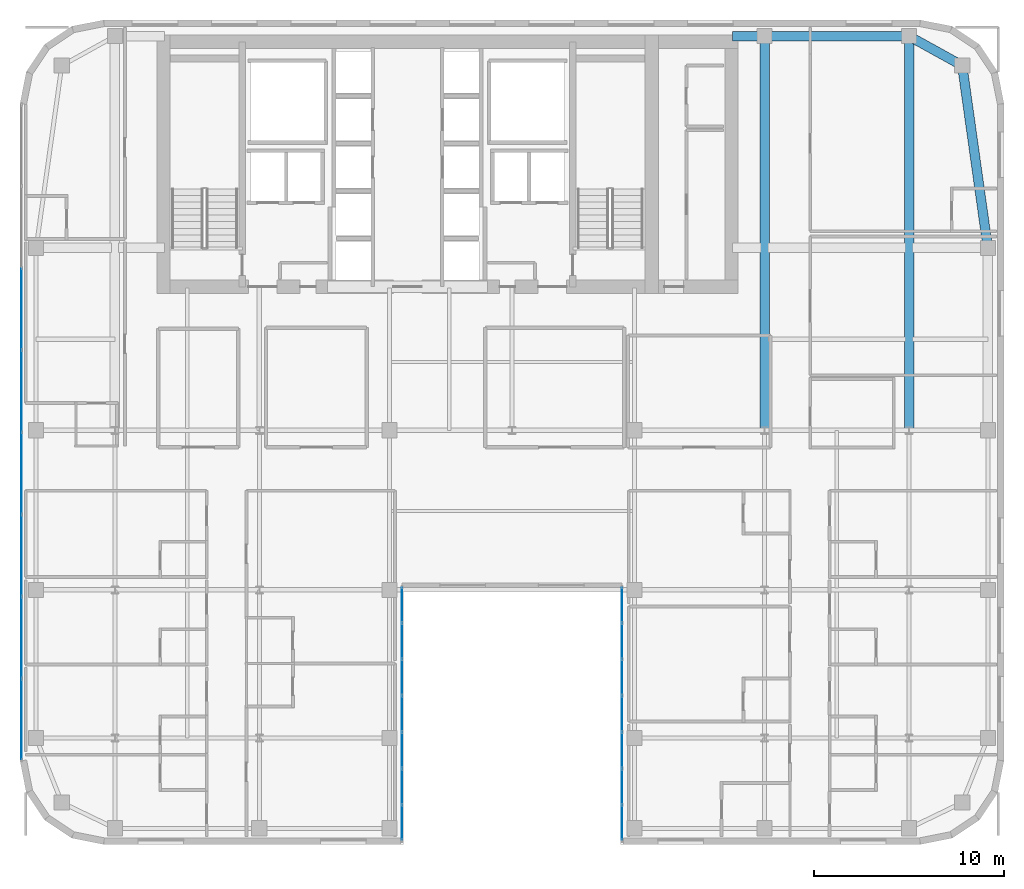
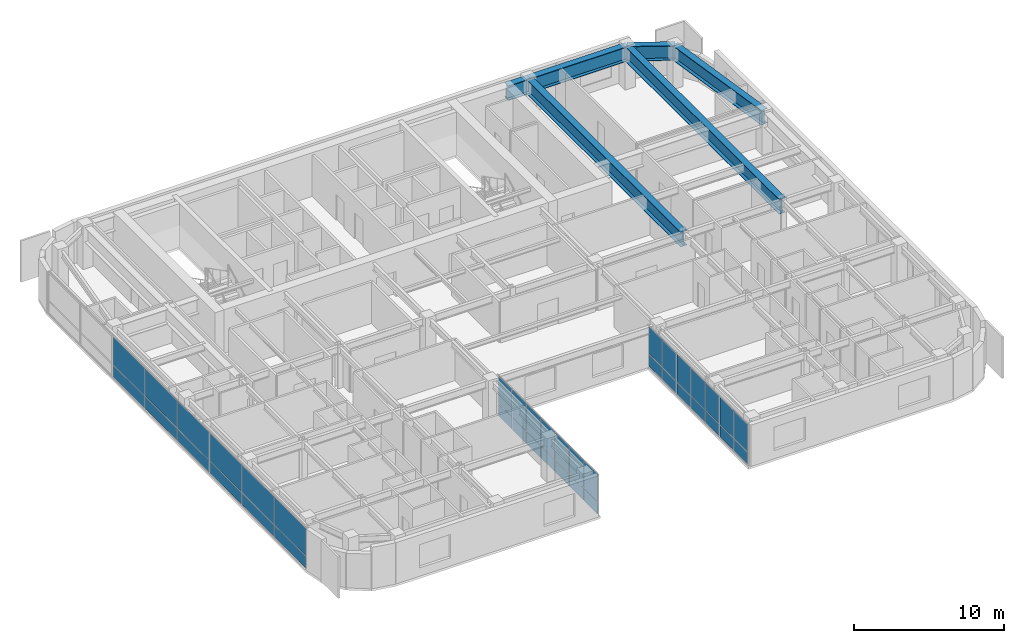
# One storey, part 16 of 24: 40 plates, 6 beams, 3 elements without a shape of their own.
"""IFC4 building model written with IfcOpenShell, lengths in metres."""

from ifc_helpers import new_model, si_unit, direction, frame, origin, origin_2d, place, context, subcontext, project, spatial, rectangle, i_section, extrude, source, transform, mapped, material, layer, layer_set, material_profile, profile_set, type_object, type_shapes, element, aggregate, save


model = new_model("IFC4")

# Units and contexts
model_context = context("Model", 3, precision=1e-05, world=origin(), true_north=direction((0.0, 1.0)))
body_context = subcontext(model_context, "Body", "Model", "MODEL_VIEW")
ifc_project = project(units=[si_unit("LENGTHUNIT", "METRE"), si_unit("AREAUNIT", "SQUARE_METRE"), si_unit("VOLUMEUNIT", "CUBIC_METRE"), si_unit("PLANEANGLEUNIT", "RADIAN"), si_unit("MASSUNIT", "GRAM", prefix="KILO")], contexts=[model_context])

# Site, building, storey
site_placement = place(None, origin())
site = spatial("IfcSite", under=ifc_project, at=site_placement, CompositionType="ELEMENT")
building_placement = place(site_placement, origin())
building = spatial("IfcBuilding", under=site, at=building_placement, Name="Tolvann Quenvar Hotel", CompositionType="ELEMENT")
storey_placement = place(building_placement, frame((0.0, 0.0, 157.699951171875)))
storey = spatial("IfcBuildingStorey", under=building, at=storey_placement, Name="L41", CompositionType="ELEMENT", Elevation=157.699951171875)

# Beams
ifc_material_1 = material(Name="Steel Grade 350", Category="steel")
ifc_material_profile = material_profile(ifc_material_1, i_section(OverallWidth=0.5, OverallDepth=1.199951171875, WebThickness=0.01611328125, FlangeThickness=0.0400390625, at=origin_2d()), Name="1200WB455")
ifc_profile_set = profile_set([ifc_material_profile], Name="Steel Grade 350")
beam_type = type_object("IfcBeamType", Name="BM_TG_1200WB455", PredefinedType="USERDEFINED", material=ifc_profile_set)
shared_shape_1 = source(origin(), body_context, "Body", "SweptSolid", [
    extrude(i_section(OverallWidth=0.5, OverallDepth=1.199951171875, WebThickness=0.01611328125, FlangeThickness=0.0400390625, at=origin_2d()), origin(), (0.0, 0.0, 1.0), 7.599853515625),
])
beam_1_placement = place(storey_placement, frame((49.39990234375, 45.14990234375, 2.77001953125), z_axis=(-1.0, 0.0, 0.0), x_axis=(0.0, -1.0, 0.0)))
element("IfcBeam", 1, at=beam_1_placement, inside=storey, type_object=beam_type, Name="BM-L41-FLK-E4", ObjectType="TRANSFER GIRDER", PredefinedType="USERDEFINED", context=body_context, shape_type="MappedRepresentation", body=[
    mapped(shared_shape_1, transform((0.0, 0.0, 0.0), x_axis=(1.0, 0.0, 0.0), y_axis=(0.0, 1.0, 0.0), z_axis=(0.0, 0.0, 1.0), scale=1.0)),
])
shared_shape_2 = source(origin(), body_context, "Body", "SweptSolid", [
    extrude(i_section(OverallWidth=0.5, OverallDepth=1.199951171875, WebThickness=0.01611328125, FlangeThickness=0.0400390625, at=origin_2d()), origin(), (0.0, 0.0, 1.0), 20.75),
])
for number, where, z_axis, x_axis, name in (
    (2, (41.800048828125, 24.39990234375, 2.77001953125), (0.0, 1.0, 0.0), (-1.0, 0.0, 0.0), "BM-L41-FLK-EH"),
    (3, (49.39990234375, 24.39990234375, 2.77001953125), (0.0, 1.0, 0.0), (-1.0, 0.0, 0.0), "BM-L41-FLK-EI"),
):
    element("IfcBeam", number, at=place(storey_placement, frame(where, z_axis=z_axis, x_axis=x_axis)), inside=storey, type_object=beam_type, Name=name, ObjectType="TRANSFER GIRDER", PredefinedType="USERDEFINED", context=body_context, shape_type="MappedRepresentation", body=[
        mapped(shared_shape_2, transform((0.0, 0.0, 0.0), x_axis=(1.0, 0.0, 0.0), y_axis=(0.0, 1.0, 0.0), z_axis=(0.0, 0.0, 1.0), scale=1.0)),
    ])
shared_shape_3 = source(origin(), body_context, "Body", "SweptSolid", [
    extrude(i_section(OverallWidth=0.5, OverallDepth=1.199951171875, WebThickness=0.01611328125, FlangeThickness=0.0400390625, at=origin_2d()), origin(), (0.0, 0.0, 1.0), 1.699951171875),
])
beam_2_placement = place(storey_placement, frame((40.10009765625, 45.14990234375, 2.77001953125), z_axis=(1.0, 0.0, 0.0), x_axis=(0.0, 1.0, 0.0)))
element("IfcBeam", 4, at=beam_2_placement, inside=storey, type_object=beam_type, Name="BM-L41-CTE-HN", ObjectType="TRANSFER GIRDER", PredefinedType="USERDEFINED", context=body_context, shape_type="MappedRepresentation", body=[
    mapped(shared_shape_3, transform((0.0, 0.0, 0.0), x_axis=(1.0, 0.0, 0.0), y_axis=(0.0, 1.0, 0.0), z_axis=(0.0, 0.0, 1.0), scale=1.0)),
])
shared_shape_4 = source(origin(), body_context, "Body", "SweptSolid", [
    extrude(i_section(OverallWidth=0.5, OverallDepth=1.199951171875, WebThickness=0.01611328125, FlangeThickness=0.0400390625, at=origin_2d()), origin(), (0.0, 0.0, 1.0), 9.694580078125),
])
beam_3_placement = place(storey_placement, frame((53.550048828125, 34.0, 2.77001953125), z_axis=(-0.139263320262, 0.990255385055, 0.0), x_axis=(-0.990255385055, -0.139263320262, 0.0)))
element("IfcBeam", 5, at=beam_3_placement, inside=storey, type_object=beam_type, Name="BM-L41-FLK-E2", ObjectType="TRANSFER GIRDER", PredefinedType="USERDEFINED", context=body_context, shape_type="MappedRepresentation", body=[
    mapped(shared_shape_4, transform((0.0, 0.0, 0.0), x_axis=(1.0, 0.0, 0.0), y_axis=(0.0, 1.0, 0.0), z_axis=(0.0, 0.0, 1.0), scale=1.0)),
])
shared_shape_5 = source(origin(), body_context, "Body", "SweptSolid", [
    extrude(i_section(OverallWidth=0.5, OverallDepth=1.199951171875, WebThickness=0.01611328125, FlangeThickness=0.0400390625, at=origin_2d()), origin(), (0.0, 0.0, 1.0), 3.200439453125),
])
type_shapes(beam_type, [shared_shape_1, shared_shape_2, shared_shape_3, shared_shape_4, shared_shape_5])
beam_4_placement = place(storey_placement, frame((52.199951171875, 43.60009765625, 2.77001953125), z_axis=(-0.87492264453, 0.48426270359, 0.0), x_axis=(-0.48426270359, -0.87492264453, 0.0)))
element("IfcBeam", 6, at=beam_4_placement, inside=storey, type_object=beam_type, Name="BM-L41-FLK-E3", ObjectType="TRANSFER GIRDER", PredefinedType="USERDEFINED", context=body_context, shape_type="MappedRepresentation", body=[
    mapped(shared_shape_5, transform((0.0, 0.0, 0.0), x_axis=(1.0, 0.0, 0.0), y_axis=(0.0, 1.0, 0.0), z_axis=(0.0, 0.0, 1.0), scale=1.0)),
])

# Curtain wall, plates
ifc_material_2 = material(Name="Thermally broken anodised architectural aluminium 6063-T6 and laminated low-E glass", Category="aluminium")
ifc_layer_1 = layer(ifc_material_2, 0.179931640625)
ifc_layer_set_1 = layer_set([ifc_layer_1], Name="Thermally broken anodised architectural aluminium 6063-T6 and laminated low-E glass")
curtain_wall_type_1 = type_object("IfcCurtainWallType", Name="CW_SYS_SLOT_03", PredefinedType="USERDEFINED", material=ifc_layer_set_1)
curtain_wall_1_placement = place(storey_placement, origin())
curtain_wall_1 = element("IfcCurtainWall", 7, at=curtain_wall_1_placement, inside=storey, type_object=curtain_wall_type_1, Name="Curtain Wall CW-SLOT-03 (CWR-L41-E05)", ObjectType="UNITISED CURTAIN WALL", PredefinedType="USERDEFINED")
ifc_material_3 = material(Name="Low-iron laminated double glazing with solar-control coating", Category="glass")
ifc_layer_2 = layer(ifc_material_3, 0.028076171875)
ifc_layer_set_2 = layer_set([ifc_layer_2], Name="Low-iron laminated double glazing with solar-control coating")
plate_type = type_object("IfcPlateType", Name="CW_PAN_VISION_28", PredefinedType="CURTAIN_PANEL", material=ifc_layer_set_2)
shared_shape_6 = source(origin(), body_context, "Body", "SweptSolid", [
    extrude(rectangle(XDim=1.809326171875, YDim=0.028076171875, at=origin_2d()), origin(), (0.0, 0.0, 1.0), 0.9599609375),
])
plate_1_placement = place(storey_placement, frame((22.7099609375, 3.749755859375, 0.06005859375), z_axis=(0.0, 0.0, 1.0), x_axis=(0.0, 1.0, 0.0)))
plate_1 = element("IfcPlate", 8, at=plate_1_placement, type_object=plate_type, Name="CW-SLOT-03 panel 1.1", PredefinedType="CURTAIN_PANEL", context=body_context, shape_type="MappedRepresentation", body=[
    mapped(shared_shape_6, transform((0.0, 0.0, 0.0), x_axis=(1.0, 0.0, 0.0), y_axis=(0.0, 1.0, 0.0), z_axis=(0.0, 0.0, 1.0), scale=1.0)),
])
plate_2_placement = place(storey_placement, frame((22.7099609375, 15.200439453125, 0.06005859375), z_axis=(0.0, 0.0, 1.0), x_axis=(0.0, 1.0, 0.0)))
plate_2 = element("IfcPlate", 9, at=plate_2_placement, type_object=plate_type, Name="CW-SLOT-03 panel 7.1", PredefinedType="CURTAIN_PANEL", context=body_context, shape_type="MappedRepresentation", body=[
    mapped(shared_shape_6, transform((0.0, 0.0, 0.0), x_axis=(1.0, 0.0, 0.0), y_axis=(0.0, 1.0, 0.0), z_axis=(0.0, 0.0, 1.0), scale=1.0)),
])

curtain_wall_2_placement = place(storey_placement, origin())
curtain_wall_2 = element("IfcCurtainWall", 10, at=curtain_wall_2_placement, inside=storey, type_object=curtain_wall_type_1, Name="Curtain Wall CW-SLOT-03 (CWR-L41-E07)", ObjectType="UNITISED CURTAIN WALL", PredefinedType="USERDEFINED")
plate_3_placement = place(storey_placement, frame((34.2900390625, 15.200439453125, 0.06005859375), z_axis=(0.0, 0.0, 1.0), x_axis=(0.0, -1.0, 0.0)))
plate_3 = element("IfcPlate", 11, at=plate_3_placement, type_object=plate_type, Name="CW-SLOT-03 panel 1.1", PredefinedType="CURTAIN_PANEL", context=body_context, shape_type="MappedRepresentation", body=[
    mapped(shared_shape_6, transform((0.0, 0.0, 0.0), x_axis=(1.0, 0.0, 0.0), y_axis=(0.0, 1.0, 0.0), z_axis=(0.0, 0.0, 1.0), scale=1.0)),
])
plate_4_placement = place(storey_placement, frame((34.2900390625, 3.749755859375, 0.06005859375), z_axis=(0.0, 0.0, 1.0), x_axis=(0.0, -1.0, 0.0)))
plate_4 = element("IfcPlate", 12, at=plate_4_placement, type_object=plate_type, Name="CW-SLOT-03 panel 7.1", PredefinedType="CURTAIN_PANEL", context=body_context, shape_type="MappedRepresentation", body=[
    mapped(shared_shape_6, transform((0.0, 0.0, 0.0), x_axis=(1.0, 0.0, 0.0), y_axis=(0.0, 1.0, 0.0), z_axis=(0.0, 0.0, 1.0), scale=1.0)),
])

# Plate
shared_shape_7 = source(origin(), body_context, "Body", "SweptSolid", [
    extrude(rectangle(XDim=1.809326171875, YDim=0.028076171875, at=origin_2d()), origin(), (0.0, 0.0, 1.0), 2.22998046875),
])
plate_5_placement = place(storey_placement, frame((22.7099609375, 3.749755859375, 1.080078125), z_axis=(0.0, 0.0, 1.0), x_axis=(0.0, 1.0, 0.0)))
plate_5 = element("IfcPlate", 13, at=plate_5_placement, type_object=plate_type, Name="CW-SLOT-03 panel 1.2", PredefinedType="CURTAIN_PANEL", context=body_context, shape_type="MappedRepresentation", body=[
    mapped(shared_shape_7, transform((0.0, 0.0, 0.0), x_axis=(1.0, 0.0, 0.0), y_axis=(0.0, 1.0, 0.0), z_axis=(0.0, 0.0, 1.0), scale=1.0)),
])

plate_6_placement = place(storey_placement, frame((22.7099609375, 15.200439453125, 1.080078125), z_axis=(0.0, 0.0, 1.0), x_axis=(0.0, 1.0, 0.0)))
plate_6 = element("IfcPlate", 14, at=plate_6_placement, type_object=plate_type, Name="CW-SLOT-03 panel 7.2", PredefinedType="CURTAIN_PANEL", context=body_context, shape_type="MappedRepresentation", body=[
    mapped(shared_shape_7, transform((0.0, 0.0, 0.0), x_axis=(1.0, 0.0, 0.0), y_axis=(0.0, 1.0, 0.0), z_axis=(0.0, 0.0, 1.0), scale=1.0)),
])

plate_7_placement = place(storey_placement, frame((34.2900390625, 15.200439453125, 1.080078125), z_axis=(0.0, 0.0, 1.0), x_axis=(0.0, -1.0, 0.0)))
plate_7 = element("IfcPlate", 15, at=plate_7_placement, type_object=plate_type, Name="CW-SLOT-03 panel 1.2", PredefinedType="CURTAIN_PANEL", context=body_context, shape_type="MappedRepresentation", body=[
    mapped(shared_shape_7, transform((0.0, 0.0, 0.0), x_axis=(1.0, 0.0, 0.0), y_axis=(0.0, 1.0, 0.0), z_axis=(0.0, 0.0, 1.0), scale=1.0)),
])

plate_8_placement = place(storey_placement, frame((34.2900390625, 3.749755859375, 1.080078125), z_axis=(0.0, 0.0, 1.0), x_axis=(0.0, -1.0, 0.0)))
plate_8 = element("IfcPlate", 16, at=plate_8_placement, type_object=plate_type, Name="CW-SLOT-03 panel 7.2", PredefinedType="CURTAIN_PANEL", context=body_context, shape_type="MappedRepresentation", body=[
    mapped(shared_shape_7, transform((0.0, 0.0, 0.0), x_axis=(1.0, 0.0, 0.0), y_axis=(0.0, 1.0, 0.0), z_axis=(0.0, 0.0, 1.0), scale=1.0)),
])

shared_shape_8 = source(origin(), body_context, "Body", "SweptSolid", [
    extrude(rectangle(XDim=1.84423828125, YDim=0.028076171875, at=origin_2d()), origin(), (0.0, 0.0, 1.0), 0.9599609375),
])
plate_9_placement = place(storey_placement, frame((22.7099609375, 5.646484375, 0.06005859375), z_axis=(0.0, 0.0, 1.0), x_axis=(0.0, 1.0, 0.0)))
plate_9 = element("IfcPlate", 17, at=plate_9_placement, type_object=plate_type, Name="CW-SLOT-03 panel 2.1", PredefinedType="CURTAIN_PANEL", context=body_context, shape_type="MappedRepresentation", body=[
    mapped(shared_shape_8, transform((0.0, 0.0, 0.0), x_axis=(1.0, 0.0, 0.0), y_axis=(0.0, 1.0, 0.0), z_axis=(0.0, 0.0, 1.0), scale=1.0)),
])

plate_10_placement = place(storey_placement, frame((22.7099609375, 7.560791015625, 0.06005859375), z_axis=(0.0, 0.0, 1.0), x_axis=(0.0, 1.0, 0.0)))
plate_10 = element("IfcPlate", 18, at=plate_10_placement, type_object=plate_type, Name="CW-SLOT-03 panel 3.1", PredefinedType="CURTAIN_PANEL", context=body_context, shape_type="MappedRepresentation", body=[
    mapped(shared_shape_8, transform((0.0, 0.0, 0.0), x_axis=(1.0, 0.0, 0.0), y_axis=(0.0, 1.0, 0.0), z_axis=(0.0, 0.0, 1.0), scale=1.0)),
])

plate_11_placement = place(storey_placement, frame((22.7099609375, 9.47509765625, 0.06005859375), z_axis=(0.0, 0.0, 1.0), x_axis=(0.0, 1.0, 0.0)))
plate_11 = element("IfcPlate", 19, at=plate_11_placement, type_object=plate_type, Name="CW-SLOT-03 panel 4.1", PredefinedType="CURTAIN_PANEL", context=body_context, shape_type="MappedRepresentation", body=[
    mapped(shared_shape_8, transform((0.0, 0.0, 0.0), x_axis=(1.0, 0.0, 0.0), y_axis=(0.0, 1.0, 0.0), z_axis=(0.0, 0.0, 1.0), scale=1.0)),
])

plate_12_placement = place(storey_placement, frame((22.7099609375, 11.389404296875, 0.06005859375), z_axis=(0.0, 0.0, 1.0), x_axis=(0.0, 1.0, 0.0)))
plate_12 = element("IfcPlate", 20, at=plate_12_placement, type_object=plate_type, Name="CW-SLOT-03 panel 5.1", PredefinedType="CURTAIN_PANEL", context=body_context, shape_type="MappedRepresentation", body=[
    mapped(shared_shape_8, transform((0.0, 0.0, 0.0), x_axis=(1.0, 0.0, 0.0), y_axis=(0.0, 1.0, 0.0), z_axis=(0.0, 0.0, 1.0), scale=1.0)),
])

plate_13_placement = place(storey_placement, frame((22.7099609375, 13.303466796875, 0.06005859375), z_axis=(0.0, 0.0, 1.0), x_axis=(0.0, 1.0, 0.0)))
plate_13 = element("IfcPlate", 21, at=plate_13_placement, type_object=plate_type, Name="CW-SLOT-03 panel 6.1", PredefinedType="CURTAIN_PANEL", context=body_context, shape_type="MappedRepresentation", body=[
    mapped(shared_shape_8, transform((0.0, 0.0, 0.0), x_axis=(1.0, 0.0, 0.0), y_axis=(0.0, 1.0, 0.0), z_axis=(0.0, 0.0, 1.0), scale=1.0)),
])

plate_14_placement = place(storey_placement, frame((34.2900390625, 13.303466796875, 0.06005859375), z_axis=(0.0, 0.0, 1.0), x_axis=(0.0, -1.0, 0.0)))
plate_14 = element("IfcPlate", 22, at=plate_14_placement, type_object=plate_type, Name="CW-SLOT-03 panel 2.1", PredefinedType="CURTAIN_PANEL", context=body_context, shape_type="MappedRepresentation", body=[
    mapped(shared_shape_8, transform((0.0, 0.0, 0.0), x_axis=(1.0, 0.0, 0.0), y_axis=(0.0, 1.0, 0.0), z_axis=(0.0, 0.0, 1.0), scale=1.0)),
])

plate_15_placement = place(storey_placement, frame((34.2900390625, 11.389404296875, 0.06005859375), z_axis=(0.0, 0.0, 1.0), x_axis=(0.0, -1.0, 0.0)))
plate_15 = element("IfcPlate", 23, at=plate_15_placement, type_object=plate_type, Name="CW-SLOT-03 panel 3.1", PredefinedType="CURTAIN_PANEL", context=body_context, shape_type="MappedRepresentation", body=[
    mapped(shared_shape_8, transform((0.0, 0.0, 0.0), x_axis=(1.0, 0.0, 0.0), y_axis=(0.0, 1.0, 0.0), z_axis=(0.0, 0.0, 1.0), scale=1.0)),
])

plate_16_placement = place(storey_placement, frame((34.2900390625, 9.47509765625, 0.06005859375), z_axis=(0.0, 0.0, 1.0), x_axis=(0.0, -1.0, 0.0)))
plate_16 = element("IfcPlate", 24, at=plate_16_placement, type_object=plate_type, Name="CW-SLOT-03 panel 4.1", PredefinedType="CURTAIN_PANEL", context=body_context, shape_type="MappedRepresentation", body=[
    mapped(shared_shape_8, transform((0.0, 0.0, 0.0), x_axis=(1.0, 0.0, 0.0), y_axis=(0.0, 1.0, 0.0), z_axis=(0.0, 0.0, 1.0), scale=1.0)),
])

plate_17_placement = place(storey_placement, frame((34.2900390625, 7.560791015625, 0.06005859375), z_axis=(0.0, 0.0, 1.0), x_axis=(0.0, -1.0, 0.0)))
plate_17 = element("IfcPlate", 25, at=plate_17_placement, type_object=plate_type, Name="CW-SLOT-03 panel 5.1", PredefinedType="CURTAIN_PANEL", context=body_context, shape_type="MappedRepresentation", body=[
    mapped(shared_shape_8, transform((0.0, 0.0, 0.0), x_axis=(1.0, 0.0, 0.0), y_axis=(0.0, 1.0, 0.0), z_axis=(0.0, 0.0, 1.0), scale=1.0)),
])

plate_18_placement = place(storey_placement, frame((34.2900390625, 5.646484375, 0.06005859375), z_axis=(0.0, 0.0, 1.0), x_axis=(0.0, -1.0, 0.0)))
plate_18 = element("IfcPlate", 26, at=plate_18_placement, type_object=plate_type, Name="CW-SLOT-03 panel 6.1", PredefinedType="CURTAIN_PANEL", context=body_context, shape_type="MappedRepresentation", body=[
    mapped(shared_shape_8, transform((0.0, 0.0, 0.0), x_axis=(1.0, 0.0, 0.0), y_axis=(0.0, 1.0, 0.0), z_axis=(0.0, 0.0, 1.0), scale=1.0)),
])

shared_shape_9 = source(origin(), body_context, "Body", "SweptSolid", [
    extrude(rectangle(XDim=1.84423828125, YDim=0.028076171875, at=origin_2d()), origin(), (0.0, 0.0, 1.0), 2.22998046875),
])
plate_19_placement = place(storey_placement, frame((22.7099609375, 5.646484375, 1.080078125), z_axis=(0.0, 0.0, 1.0), x_axis=(0.0, 1.0, 0.0)))
plate_19 = element("IfcPlate", 27, at=plate_19_placement, type_object=plate_type, Name="CW-SLOT-03 panel 2.2", PredefinedType="CURTAIN_PANEL", context=body_context, shape_type="MappedRepresentation", body=[
    mapped(shared_shape_9, transform((0.0, 0.0, 0.0), x_axis=(1.0, 0.0, 0.0), y_axis=(0.0, 1.0, 0.0), z_axis=(0.0, 0.0, 1.0), scale=1.0)),
])

plate_20_placement = place(storey_placement, frame((22.7099609375, 7.560791015625, 1.080078125), z_axis=(0.0, 0.0, 1.0), x_axis=(0.0, 1.0, 0.0)))
plate_20 = element("IfcPlate", 28, at=plate_20_placement, type_object=plate_type, Name="CW-SLOT-03 panel 3.2", PredefinedType="CURTAIN_PANEL", context=body_context, shape_type="MappedRepresentation", body=[
    mapped(shared_shape_9, transform((0.0, 0.0, 0.0), x_axis=(1.0, 0.0, 0.0), y_axis=(0.0, 1.0, 0.0), z_axis=(0.0, 0.0, 1.0), scale=1.0)),
])

plate_21_placement = place(storey_placement, frame((22.7099609375, 9.47509765625, 1.080078125), z_axis=(0.0, 0.0, 1.0), x_axis=(0.0, 1.0, 0.0)))
plate_21 = element("IfcPlate", 29, at=plate_21_placement, type_object=plate_type, Name="CW-SLOT-03 panel 4.2", PredefinedType="CURTAIN_PANEL", context=body_context, shape_type="MappedRepresentation", body=[
    mapped(shared_shape_9, transform((0.0, 0.0, 0.0), x_axis=(1.0, 0.0, 0.0), y_axis=(0.0, 1.0, 0.0), z_axis=(0.0, 0.0, 1.0), scale=1.0)),
])

plate_22_placement = place(storey_placement, frame((22.7099609375, 11.389404296875, 1.080078125), z_axis=(0.0, 0.0, 1.0), x_axis=(0.0, 1.0, 0.0)))
plate_22 = element("IfcPlate", 30, at=plate_22_placement, type_object=plate_type, Name="CW-SLOT-03 panel 5.2", PredefinedType="CURTAIN_PANEL", context=body_context, shape_type="MappedRepresentation", body=[
    mapped(shared_shape_9, transform((0.0, 0.0, 0.0), x_axis=(1.0, 0.0, 0.0), y_axis=(0.0, 1.0, 0.0), z_axis=(0.0, 0.0, 1.0), scale=1.0)),
])

plate_23_placement = place(storey_placement, frame((22.7099609375, 13.303466796875, 1.080078125), z_axis=(0.0, 0.0, 1.0), x_axis=(0.0, 1.0, 0.0)))
plate_23 = element("IfcPlate", 31, at=plate_23_placement, type_object=plate_type, Name="CW-SLOT-03 panel 6.2", PredefinedType="CURTAIN_PANEL", context=body_context, shape_type="MappedRepresentation", body=[
    mapped(shared_shape_9, transform((0.0, 0.0, 0.0), x_axis=(1.0, 0.0, 0.0), y_axis=(0.0, 1.0, 0.0), z_axis=(0.0, 0.0, 1.0), scale=1.0)),
])

aggregate(curtain_wall_1, [plate_1, plate_5, plate_9, plate_19, plate_10, plate_20, plate_11, plate_21, plate_12, plate_22, plate_13, plate_23, plate_2, plate_6])

plate_24_placement = place(storey_placement, frame((34.2900390625, 13.303466796875, 1.080078125), z_axis=(0.0, 0.0, 1.0), x_axis=(0.0, -1.0, 0.0)))
plate_24 = element("IfcPlate", 32, at=plate_24_placement, type_object=plate_type, Name="CW-SLOT-03 panel 2.2", PredefinedType="CURTAIN_PANEL", context=body_context, shape_type="MappedRepresentation", body=[
    mapped(shared_shape_9, transform((0.0, 0.0, 0.0), x_axis=(1.0, 0.0, 0.0), y_axis=(0.0, 1.0, 0.0), z_axis=(0.0, 0.0, 1.0), scale=1.0)),
])

plate_25_placement = place(storey_placement, frame((34.2900390625, 11.389404296875, 1.080078125), z_axis=(0.0, 0.0, 1.0), x_axis=(0.0, -1.0, 0.0)))
plate_25 = element("IfcPlate", 33, at=plate_25_placement, type_object=plate_type, Name="CW-SLOT-03 panel 3.2", PredefinedType="CURTAIN_PANEL", context=body_context, shape_type="MappedRepresentation", body=[
    mapped(shared_shape_9, transform((0.0, 0.0, 0.0), x_axis=(1.0, 0.0, 0.0), y_axis=(0.0, 1.0, 0.0), z_axis=(0.0, 0.0, 1.0), scale=1.0)),
])

plate_26_placement = place(storey_placement, frame((34.2900390625, 9.47509765625, 1.080078125), z_axis=(0.0, 0.0, 1.0), x_axis=(0.0, -1.0, 0.0)))
plate_26 = element("IfcPlate", 34, at=plate_26_placement, type_object=plate_type, Name="CW-SLOT-03 panel 4.2", PredefinedType="CURTAIN_PANEL", context=body_context, shape_type="MappedRepresentation", body=[
    mapped(shared_shape_9, transform((0.0, 0.0, 0.0), x_axis=(1.0, 0.0, 0.0), y_axis=(0.0, 1.0, 0.0), z_axis=(0.0, 0.0, 1.0), scale=1.0)),
])

plate_27_placement = place(storey_placement, frame((34.2900390625, 7.560791015625, 1.080078125), z_axis=(0.0, 0.0, 1.0), x_axis=(0.0, -1.0, 0.0)))
plate_27 = element("IfcPlate", 35, at=plate_27_placement, type_object=plate_type, Name="CW-SLOT-03 panel 5.2", PredefinedType="CURTAIN_PANEL", context=body_context, shape_type="MappedRepresentation", body=[
    mapped(shared_shape_9, transform((0.0, 0.0, 0.0), x_axis=(1.0, 0.0, 0.0), y_axis=(0.0, 1.0, 0.0), z_axis=(0.0, 0.0, 1.0), scale=1.0)),
])

plate_28_placement = place(storey_placement, frame((34.2900390625, 5.646484375, 1.080078125), z_axis=(0.0, 0.0, 1.0), x_axis=(0.0, -1.0, 0.0)))
plate_28 = element("IfcPlate", 36, at=plate_28_placement, type_object=plate_type, Name="CW-SLOT-03 panel 6.2", PredefinedType="CURTAIN_PANEL", context=body_context, shape_type="MappedRepresentation", body=[
    mapped(shared_shape_9, transform((0.0, 0.0, 0.0), x_axis=(1.0, 0.0, 0.0), y_axis=(0.0, 1.0, 0.0), z_axis=(0.0, 0.0, 1.0), scale=1.0)),
])

aggregate(curtain_wall_2, [plate_3, plate_7, plate_14, plate_24, plate_15, plate_25, plate_16, plate_26, plate_17, plate_27, plate_18, plate_28, plate_4, plate_8])

# Curtain wall, plates
ifc_layer_3 = layer(ifc_material_2, 0.179931640625)
ifc_layer_set_3 = layer_set([ifc_layer_3], Name="Thermally broken anodised architectural aluminium 6063-T6 and laminated low-E glass")
curtain_wall_type_2 = type_object("IfcCurtainWallType", Name="CW_SYS_BAND_04", PredefinedType="USERDEFINED", material=ifc_layer_set_3)
curtain_wall_3_placement = place(storey_placement, origin())
curtain_wall_3 = element("IfcCurtainWall", 37, at=curtain_wall_3_placement, inside=storey, type_object=curtain_wall_type_2, Name="Curtain Wall CW-BAND-04 (CWR-L41-E23)", ObjectType="UNITISED CURTAIN WALL", PredefinedType="USERDEFINED")
shared_shape_10 = source(origin(), body_context, "Body", "SweptSolid", [
    extrude(rectangle(XDim=4.2158203125, YDim=0.028076171875, at=origin_2d()), origin(), (0.0, 0.0, 1.0), 0.9599609375),
])
plate_29_placement = place(storey_placement, frame((2.68994140625, 9.195068359375, 0.06005859375), z_axis=(0.0, 0.0, 1.0), x_axis=(0.0, -1.0, 0.0)))
plate_29 = element("IfcPlate", 38, at=plate_29_placement, type_object=plate_type, Name="CW-BAND-04 panel 8.1", PredefinedType="CURTAIN_PANEL", context=body_context, shape_type="MappedRepresentation", body=[
    mapped(shared_shape_10, transform((0.0, 0.0, 0.0), x_axis=(1.0, 0.0, 0.0), y_axis=(0.0, 1.0, 0.0), z_axis=(0.0, 0.0, 1.0), scale=1.0)),
])
shared_shape_11 = source(origin(), body_context, "Body", "SweptSolid", [
    extrude(rectangle(XDim=4.2158203125, YDim=0.028076171875, at=origin_2d()), origin(), (0.0, 0.0, 1.0), 2.22998046875),
])
plate_30_placement = place(storey_placement, frame((2.68994140625, 9.195068359375, 1.080078125), z_axis=(0.0, 0.0, 1.0), x_axis=(0.0, -1.0, 0.0)))
plate_30 = element("IfcPlate", 39, at=plate_30_placement, type_object=plate_type, Name="CW-BAND-04 panel 8.2", PredefinedType="CURTAIN_PANEL", context=body_context, shape_type="MappedRepresentation", body=[
    mapped(shared_shape_11, transform((0.0, 0.0, 0.0), x_axis=(1.0, 0.0, 0.0), y_axis=(0.0, 1.0, 0.0), z_axis=(0.0, 0.0, 1.0), scale=1.0)),
])
shared_shape_12 = source(origin(), body_context, "Body", "SweptSolid", [
    extrude(rectangle(XDim=4.250732421875, YDim=0.028076171875, at=origin_2d()), origin(), (0.0, 0.0, 1.0), 0.9599609375),
])
plate_31_placement = place(storey_placement, frame((2.68994140625, 30.781005859375, 0.06005859375), z_axis=(0.0, 0.0, 1.0), x_axis=(0.0, -1.0, 0.0)))
plate_31 = element("IfcPlate", 40, at=plate_31_placement, type_object=plate_type, Name="CW-BAND-04 panel 3.1", PredefinedType="CURTAIN_PANEL", context=body_context, shape_type="MappedRepresentation", body=[
    mapped(shared_shape_12, transform((0.0, 0.0, 0.0), x_axis=(1.0, 0.0, 0.0), y_axis=(0.0, 1.0, 0.0), z_axis=(0.0, 0.0, 1.0), scale=1.0)),
])
plate_32_placement = place(storey_placement, frame((2.68994140625, 26.46044921875, 0.06005859375), z_axis=(0.0, 0.0, 1.0), x_axis=(0.0, -1.0, 0.0)))
plate_32 = element("IfcPlate", 41, at=plate_32_placement, type_object=plate_type, Name="CW-BAND-04 panel 4.1", PredefinedType="CURTAIN_PANEL", context=body_context, shape_type="MappedRepresentation", body=[
    mapped(shared_shape_12, transform((0.0, 0.0, 0.0), x_axis=(1.0, 0.0, 0.0), y_axis=(0.0, 1.0, 0.0), z_axis=(0.0, 0.0, 1.0), scale=1.0)),
])
plate_33_placement = place(storey_placement, frame((2.68994140625, 22.1396484375, 0.06005859375), z_axis=(0.0, 0.0, 1.0), x_axis=(0.0, -1.0, 0.0)))
plate_33 = element("IfcPlate", 42, at=plate_33_placement, type_object=plate_type, Name="CW-BAND-04 panel 5.1", PredefinedType="CURTAIN_PANEL", context=body_context, shape_type="MappedRepresentation", body=[
    mapped(shared_shape_12, transform((0.0, 0.0, 0.0), x_axis=(1.0, 0.0, 0.0), y_axis=(0.0, 1.0, 0.0), z_axis=(0.0, 0.0, 1.0), scale=1.0)),
])
plate_34_placement = place(storey_placement, frame((2.68994140625, 17.81884765625, 0.06005859375), z_axis=(0.0, 0.0, 1.0), x_axis=(0.0, -1.0, 0.0)))
plate_34 = element("IfcPlate", 43, at=plate_34_placement, type_object=plate_type, Name="CW-BAND-04 panel 6.1", PredefinedType="CURTAIN_PANEL", context=body_context, shape_type="MappedRepresentation", body=[
    mapped(shared_shape_12, transform((0.0, 0.0, 0.0), x_axis=(1.0, 0.0, 0.0), y_axis=(0.0, 1.0, 0.0), z_axis=(0.0, 0.0, 1.0), scale=1.0)),
])
plate_35_placement = place(storey_placement, frame((2.68994140625, 13.498291015625, 0.06005859375), z_axis=(0.0, 0.0, 1.0), x_axis=(0.0, -1.0, 0.0)))
plate_35 = element("IfcPlate", 44, at=plate_35_placement, type_object=plate_type, Name="CW-BAND-04 panel 7.1", PredefinedType="CURTAIN_PANEL", context=body_context, shape_type="MappedRepresentation", body=[
    mapped(shared_shape_12, transform((0.0, 0.0, 0.0), x_axis=(1.0, 0.0, 0.0), y_axis=(0.0, 1.0, 0.0), z_axis=(0.0, 0.0, 1.0), scale=1.0)),
])
shared_shape_13 = source(origin(), body_context, "Body", "SweptSolid", [
    extrude(rectangle(XDim=4.250732421875, YDim=0.028076171875, at=origin_2d()), origin(), (0.0, 0.0, 1.0), 2.22998046875),
])
type_shapes(plate_type, [shared_shape_6, shared_shape_7, shared_shape_8, shared_shape_9, shared_shape_10, shared_shape_11, shared_shape_12, shared_shape_13])
plate_36_placement = place(storey_placement, frame((2.68994140625, 30.781005859375, 1.080078125), z_axis=(0.0, 0.0, 1.0), x_axis=(0.0, -1.0, 0.0)))
plate_36 = element("IfcPlate", 45, at=plate_36_placement, type_object=plate_type, Name="CW-BAND-04 panel 3.2", PredefinedType="CURTAIN_PANEL", context=body_context, shape_type="MappedRepresentation", body=[
    mapped(shared_shape_13, transform((0.0, 0.0, 0.0), x_axis=(1.0, 0.0, 0.0), y_axis=(0.0, 1.0, 0.0), z_axis=(0.0, 0.0, 1.0), scale=1.0)),
])
plate_37_placement = place(storey_placement, frame((2.68994140625, 26.46044921875, 1.080078125), z_axis=(0.0, 0.0, 1.0), x_axis=(0.0, -1.0, 0.0)))
plate_37 = element("IfcPlate", 46, at=plate_37_placement, type_object=plate_type, Name="CW-BAND-04 panel 4.2", PredefinedType="CURTAIN_PANEL", context=body_context, shape_type="MappedRepresentation", body=[
    mapped(shared_shape_13, transform((0.0, 0.0, 0.0), x_axis=(1.0, 0.0, 0.0), y_axis=(0.0, 1.0, 0.0), z_axis=(0.0, 0.0, 1.0), scale=1.0)),
])
plate_38_placement = place(storey_placement, frame((2.68994140625, 22.1396484375, 1.080078125), z_axis=(0.0, 0.0, 1.0), x_axis=(0.0, -1.0, 0.0)))
plate_38 = element("IfcPlate", 47, at=plate_38_placement, type_object=plate_type, Name="CW-BAND-04 panel 5.2", PredefinedType="CURTAIN_PANEL", context=body_context, shape_type="MappedRepresentation", body=[
    mapped(shared_shape_13, transform((0.0, 0.0, 0.0), x_axis=(1.0, 0.0, 0.0), y_axis=(0.0, 1.0, 0.0), z_axis=(0.0, 0.0, 1.0), scale=1.0)),
])
plate_39_placement = place(storey_placement, frame((2.68994140625, 17.81884765625, 1.080078125), z_axis=(0.0, 0.0, 1.0), x_axis=(0.0, -1.0, 0.0)))
plate_39 = element("IfcPlate", 48, at=plate_39_placement, type_object=plate_type, Name="CW-BAND-04 panel 6.2", PredefinedType="CURTAIN_PANEL", context=body_context, shape_type="MappedRepresentation", body=[
    mapped(shared_shape_13, transform((0.0, 0.0, 0.0), x_axis=(1.0, 0.0, 0.0), y_axis=(0.0, 1.0, 0.0), z_axis=(0.0, 0.0, 1.0), scale=1.0)),
])
plate_40_placement = place(storey_placement, frame((2.68994140625, 13.498291015625, 1.080078125), z_axis=(0.0, 0.0, 1.0), x_axis=(0.0, -1.0, 0.0)))
plate_40 = element("IfcPlate", 49, at=plate_40_placement, type_object=plate_type, Name="CW-BAND-04 panel 7.2", PredefinedType="CURTAIN_PANEL", context=body_context, shape_type="MappedRepresentation", body=[
    mapped(shared_shape_13, transform((0.0, 0.0, 0.0), x_axis=(1.0, 0.0, 0.0), y_axis=(0.0, 1.0, 0.0), z_axis=(0.0, 0.0, 1.0), scale=1.0)),
])
aggregate(curtain_wall_3, [plate_31, plate_36, plate_32, plate_37, plate_33, plate_38, plate_34, plate_39, plate_35, plate_40, plate_29, plate_30])

save(model, "model.ifc")
